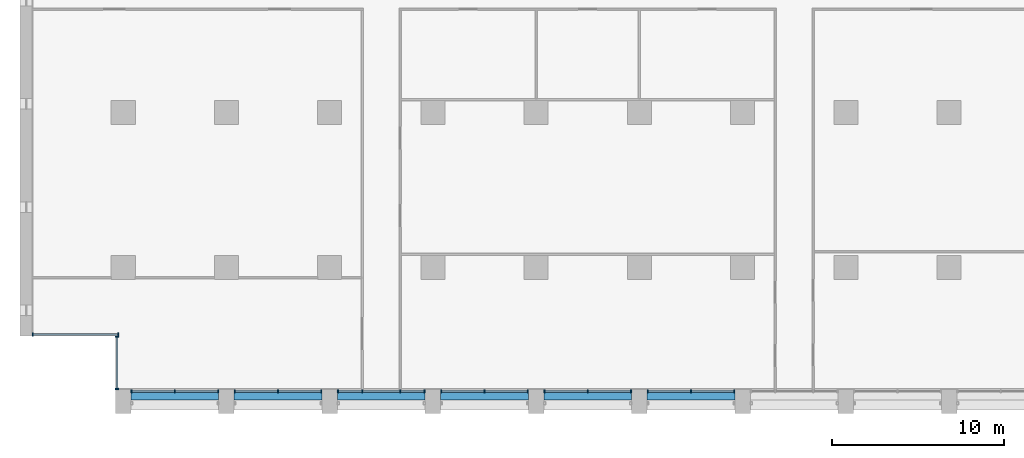
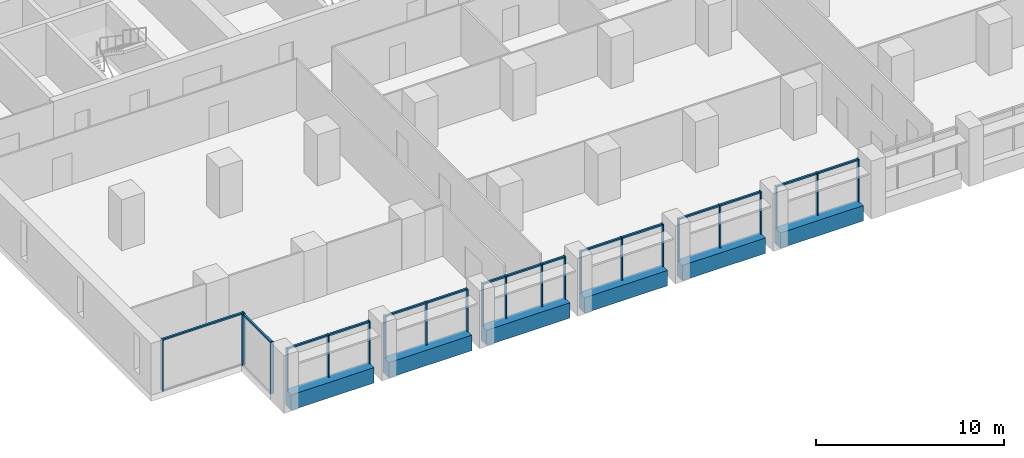
# One storey, part 2 of 15: 38 members, 6 beams, 8 elements without a shape of their own.
"""IFC4 building model written with IfcOpenShell, lengths in metres."""

from ifc_helpers import new_model, si_unit, direction, frame, origin, origin_2d, place, context, subcontext, project, spatial, rectangle, extrude, material, material_profile, profile_set, type_object, element, aggregate, save


model = new_model("IFC4")

# Units and contexts
model_context = context("Model", 3, precision=1e-05, world=origin(), true_north=direction((0.0, 1.0)))
body_context = subcontext(model_context, "Body", "Model", "MODEL_VIEW")
ifc_project = project(units=[si_unit("LENGTHUNIT", "METRE"), si_unit("AREAUNIT", "SQUARE_METRE"), si_unit("VOLUMEUNIT", "CUBIC_METRE"), si_unit("PLANEANGLEUNIT", "RADIAN"), si_unit("MASSUNIT", "GRAM", prefix="KILO")], contexts=[model_context])

# Site, building, storey
site_placement = place(None, origin())
site = spatial("IfcSite", under=ifc_project, at=site_placement, CompositionType="ELEMENT")
building_placement = place(site_placement, origin())
building = spatial("IfcBuilding", under=site, at=building_placement, Name="Calvaro Tower", CompositionType="ELEMENT")
storey_placement = place(building_placement, frame((0.0, 0.0, 106.25)))
storey = spatial("IfcBuildingStorey", under=building, at=storey_placement, Name="L26", CompositionType="ELEMENT", Elevation=106.25)

# Curtain wall, members
ifc_material_1 = material(Name="Anodised aluminium", Category="aluminium")
curtain_wall_type = type_object("IfcCurtainWallType", Name="Office curtain wall, middle zone", PredefinedType="NOTDEFINED", material=ifc_material_1)
curtain_wall_1_placement = place(storey_placement, origin())
curtain_wall_1 = element("IfcCurtainWall", 1, at=curtain_wall_1_placement, inside=storey, type_object=curtain_wall_type, Name="CW2 south curtain wall", PredefinedType="NOTDEFINED")
ifc_material_2 = material(Name="Anodised aluminium", Category="aluminium")
ifc_material_profile_1 = material_profile(ifc_material_2, rectangle(XDim=0.199951171875, YDim=0.070068359375, at=origin_2d()), Name="Mullion S2 70 x 200")
ifc_profile_set_1 = profile_set([ifc_material_profile_1], Name="Anodised aluminium")
member_type_1 = type_object("IfcMemberType", Name="Mullion S2 70 x 200", PredefinedType="MULLION", material=ifc_profile_set_1)
member_1_placement = place(storey_placement, frame((6.485107421875, 2.800048828125, 0.0), z_axis=(0.0, 0.0, 1.0), x_axis=(0.0, 1.0, 0.0)))
member_1 = element("IfcMember", 2, at=member_1_placement, type_object=member_type_1, Name="CW2 mullion 1", PredefinedType="MULLION", context=body_context, shape_type="SweptSolid", body=[
    extrude(rectangle(XDim=0.199951171875, YDim=0.070068359375, at=origin_2d()), origin(), (0.0, 0.0, 1.0), 2.75),
])
member_2_placement = place(storey_placement, frame((9.0, 2.800048828125, 0.0), z_axis=(0.0, 0.0, 1.0), x_axis=(0.0, 1.0, 0.0)))
member_2 = element("IfcMember", 3, at=member_2_placement, type_object=member_type_1, Name="CW2 mullion 2", PredefinedType="MULLION", context=body_context, shape_type="SweptSolid", body=[
    extrude(rectangle(XDim=0.199951171875, YDim=0.070068359375, at=origin_2d()), origin(), (0.0, 0.0, 1.0), 2.75),
])
member_3_placement = place(storey_placement, frame((11.514892578125, 2.800048828125, 0.0), z_axis=(0.0, 0.0, 1.0), x_axis=(0.0, 1.0, 0.0)))
member_3 = element("IfcMember", 4, at=member_3_placement, type_object=member_type_1, Name="CW2 mullion 3", PredefinedType="MULLION", context=body_context, shape_type="SweptSolid", body=[
    extrude(rectangle(XDim=0.199951171875, YDim=0.070068359375, at=origin_2d()), origin(), (0.0, 0.0, 1.0), 2.75),
])

curtain_wall_2_placement = place(storey_placement, origin())
curtain_wall_2 = element("IfcCurtainWall", 5, at=curtain_wall_2_placement, inside=storey, type_object=curtain_wall_type, Name="CW2 south curtain wall", PredefinedType="NOTDEFINED")
member_4_placement = place(storey_placement, frame((12.485107421875, 2.800048828125, 0.0), z_axis=(0.0, 0.0, 1.0), x_axis=(0.0, 1.0, 0.0)))
member_4 = element("IfcMember", 6, at=member_4_placement, type_object=member_type_1, Name="CW2 mullion 1", PredefinedType="MULLION", context=body_context, shape_type="SweptSolid", body=[
    extrude(rectangle(XDim=0.199951171875, YDim=0.070068359375, at=origin_2d()), origin(), (0.0, 0.0, 1.0), 2.75),
])
member_5_placement = place(storey_placement, frame((15.0, 2.800048828125, 0.0), z_axis=(0.0, 0.0, 1.0), x_axis=(0.0, 1.0, 0.0)))
member_5 = element("IfcMember", 7, at=member_5_placement, type_object=member_type_1, Name="CW2 mullion 2", PredefinedType="MULLION", context=body_context, shape_type="SweptSolid", body=[
    extrude(rectangle(XDim=0.199951171875, YDim=0.070068359375, at=origin_2d()), origin(), (0.0, 0.0, 1.0), 2.75),
])
member_6_placement = place(storey_placement, frame((17.514892578125, 2.800048828125, 0.0), z_axis=(0.0, 0.0, 1.0), x_axis=(0.0, 1.0, 0.0)))
member_6 = element("IfcMember", 8, at=member_6_placement, type_object=member_type_1, Name="CW2 mullion 3", PredefinedType="MULLION", context=body_context, shape_type="SweptSolid", body=[
    extrude(rectangle(XDim=0.199951171875, YDim=0.070068359375, at=origin_2d()), origin(), (0.0, 0.0, 1.0), 2.75),
])

curtain_wall_3_placement = place(storey_placement, origin())
curtain_wall_3 = element("IfcCurtainWall", 9, at=curtain_wall_3_placement, inside=storey, type_object=curtain_wall_type, Name="CW2 south curtain wall", PredefinedType="NOTDEFINED")
member_7_placement = place(storey_placement, frame((18.485107421875, 2.800048828125, 0.0), z_axis=(0.0, 0.0, 1.0), x_axis=(0.0, 1.0, 0.0)))
member_7 = element("IfcMember", 10, at=member_7_placement, type_object=member_type_1, Name="CW2 mullion 1", PredefinedType="MULLION", context=body_context, shape_type="SweptSolid", body=[
    extrude(rectangle(XDim=0.199951171875, YDim=0.070068359375, at=origin_2d()), origin(), (0.0, 0.0, 1.0), 2.75),
])
member_8_placement = place(storey_placement, frame((19.89990234375, 2.800048828125, 0.0), z_axis=(0.0, 0.0, 1.0), x_axis=(0.0, 1.0, 0.0)))
member_8 = element("IfcMember", 11, at=member_8_placement, type_object=member_type_1, Name="CW2 mullion 2", PredefinedType="MULLION", context=body_context, shape_type="SweptSolid", body=[
    extrude(rectangle(XDim=0.199951171875, YDim=0.070068359375, at=origin_2d()), origin(), (0.0, 0.0, 1.0), 2.75),
])
member_9_placement = place(storey_placement, frame((22.10009765625, 2.800048828125, 0.0), z_axis=(0.0, 0.0, 1.0), x_axis=(0.0, 1.0, 0.0)))
member_9 = element("IfcMember", 12, at=member_9_placement, type_object=member_type_1, Name="CW2 mullion 3", PredefinedType="MULLION", context=body_context, shape_type="SweptSolid", body=[
    extrude(rectangle(XDim=0.199951171875, YDim=0.070068359375, at=origin_2d()), origin(), (0.0, 0.0, 1.0), 2.75),
])
member_10_placement = place(storey_placement, frame((23.514892578125, 2.800048828125, 0.0), z_axis=(0.0, 0.0, 1.0), x_axis=(0.0, 1.0, 0.0)))
member_10 = element("IfcMember", 13, at=member_10_placement, type_object=member_type_1, Name="CW2 mullion 4", PredefinedType="MULLION", context=body_context, shape_type="SweptSolid", body=[
    extrude(rectangle(XDim=0.199951171875, YDim=0.070068359375, at=origin_2d()), origin(), (0.0, 0.0, 1.0), 2.75),
])

curtain_wall_4_placement = place(storey_placement, origin())
curtain_wall_4 = element("IfcCurtainWall", 14, at=curtain_wall_4_placement, inside=storey, type_object=curtain_wall_type, Name="CW2 south curtain wall", PredefinedType="NOTDEFINED")
member_11_placement = place(storey_placement, frame((24.485107421875, 2.800048828125, 0.0), z_axis=(0.0, 0.0, 1.0), x_axis=(0.0, 1.0, 0.0)))
member_11 = element("IfcMember", 15, at=member_11_placement, type_object=member_type_1, Name="CW2 mullion 1", PredefinedType="MULLION", context=body_context, shape_type="SweptSolid", body=[
    extrude(rectangle(XDim=0.199951171875, YDim=0.070068359375, at=origin_2d()), origin(), (0.0, 0.0, 1.0), 2.75),
])
member_12_placement = place(storey_placement, frame((27.0, 2.800048828125, 0.0), z_axis=(0.0, 0.0, 1.0), x_axis=(0.0, 1.0, 0.0)))
member_12 = element("IfcMember", 16, at=member_12_placement, type_object=member_type_1, Name="CW2 mullion 2", PredefinedType="MULLION", context=body_context, shape_type="SweptSolid", body=[
    extrude(rectangle(XDim=0.199951171875, YDim=0.070068359375, at=origin_2d()), origin(), (0.0, 0.0, 1.0), 2.75),
])
member_13_placement = place(storey_placement, frame((29.514892578125, 2.800048828125, 0.0), z_axis=(0.0, 0.0, 1.0), x_axis=(0.0, 1.0, 0.0)))
member_13 = element("IfcMember", 17, at=member_13_placement, type_object=member_type_1, Name="CW2 mullion 3", PredefinedType="MULLION", context=body_context, shape_type="SweptSolid", body=[
    extrude(rectangle(XDim=0.199951171875, YDim=0.070068359375, at=origin_2d()), origin(), (0.0, 0.0, 1.0), 2.75),
])

curtain_wall_5_placement = place(storey_placement, origin())
curtain_wall_5 = element("IfcCurtainWall", 18, at=curtain_wall_5_placement, inside=storey, type_object=curtain_wall_type, Name="CW2 south curtain wall", PredefinedType="NOTDEFINED")
member_14_placement = place(storey_placement, frame((30.485107421875, 2.800048828125, 0.0), z_axis=(0.0, 0.0, 1.0), x_axis=(0.0, 1.0, 0.0)))
member_14 = element("IfcMember", 19, at=member_14_placement, type_object=member_type_1, Name="CW2 mullion 1", PredefinedType="MULLION", context=body_context, shape_type="SweptSolid", body=[
    extrude(rectangle(XDim=0.199951171875, YDim=0.070068359375, at=origin_2d()), origin(), (0.0, 0.0, 1.0), 2.75),
])
member_15_placement = place(storey_placement, frame((33.0, 2.800048828125, 0.0), z_axis=(0.0, 0.0, 1.0), x_axis=(0.0, 1.0, 0.0)))
member_15 = element("IfcMember", 20, at=member_15_placement, type_object=member_type_1, Name="CW2 mullion 2", PredefinedType="MULLION", context=body_context, shape_type="SweptSolid", body=[
    extrude(rectangle(XDim=0.199951171875, YDim=0.070068359375, at=origin_2d()), origin(), (0.0, 0.0, 1.0), 2.75),
])
member_16_placement = place(storey_placement, frame((35.514892578125, 2.800048828125, 0.0), z_axis=(0.0, 0.0, 1.0), x_axis=(0.0, 1.0, 0.0)))
member_16 = element("IfcMember", 21, at=member_16_placement, type_object=member_type_1, Name="CW2 mullion 3", PredefinedType="MULLION", context=body_context, shape_type="SweptSolid", body=[
    extrude(rectangle(XDim=0.199951171875, YDim=0.070068359375, at=origin_2d()), origin(), (0.0, 0.0, 1.0), 2.75),
])

curtain_wall_6_placement = place(storey_placement, origin())
curtain_wall_6 = element("IfcCurtainWall", 22, at=curtain_wall_6_placement, inside=storey, type_object=curtain_wall_type, Name="CW2 south curtain wall", PredefinedType="NOTDEFINED")
member_17_placement = place(storey_placement, frame((36.485107421875, 2.800048828125, 0.0), z_axis=(0.0, 0.0, 1.0), x_axis=(0.0, 1.0, 0.0)))
member_17 = element("IfcMember", 23, at=member_17_placement, type_object=member_type_1, Name="CW2 mullion 1", PredefinedType="MULLION", context=body_context, shape_type="SweptSolid", body=[
    extrude(rectangle(XDim=0.199951171875, YDim=0.070068359375, at=origin_2d()), origin(), (0.0, 0.0, 1.0), 2.75),
])
member_18_placement = place(storey_placement, frame((39.0, 2.800048828125, 0.0), z_axis=(0.0, 0.0, 1.0), x_axis=(0.0, 1.0, 0.0)))
member_18 = element("IfcMember", 24, at=member_18_placement, type_object=member_type_1, Name="CW2 mullion 2", PredefinedType="MULLION", context=body_context, shape_type="SweptSolid", body=[
    extrude(rectangle(XDim=0.199951171875, YDim=0.070068359375, at=origin_2d()), origin(), (0.0, 0.0, 1.0), 2.75),
])
member_19_placement = place(storey_placement, frame((41.514892578125, 2.800048828125, 0.0), z_axis=(0.0, 0.0, 1.0), x_axis=(0.0, 1.0, 0.0)))
member_19 = element("IfcMember", 25, at=member_19_placement, type_object=member_type_1, Name="CW2 mullion 3", PredefinedType="MULLION", context=body_context, shape_type="SweptSolid", body=[
    extrude(rectangle(XDim=0.199951171875, YDim=0.070068359375, at=origin_2d()), origin(), (0.0, 0.0, 1.0), 2.75),
])

curtain_wall_7_placement = place(storey_placement, origin())
curtain_wall_7 = element("IfcCurtainWall", 26, at=curtain_wall_7_placement, inside=storey, type_object=curtain_wall_type, Name="CW2 corner curtain wall", PredefinedType="NOTDEFINED")
member_20_placement = place(storey_placement, frame((5.64990234375, 2.93505859375, 0.0), z_axis=(0.0, 0.0, 1.0), x_axis=(-1.0, 0.0, 0.0)))
member_20 = element("IfcMember", 27, at=member_20_placement, type_object=member_type_1, Name="CW2 mullion 1", PredefinedType="MULLION", context=body_context, shape_type="SweptSolid", body=[
    extrude(rectangle(XDim=0.199951171875, YDim=0.070068359375, at=origin_2d()), origin(), (0.0, 0.0, 1.0), 3.35009765625),
])
member_21_placement = place(storey_placement, frame((5.64990234375, 5.965087890625, 0.0), z_axis=(0.0, 0.0, 1.0), x_axis=(-1.0, 0.0, 0.0)))
member_21 = element("IfcMember", 28, at=member_21_placement, type_object=member_type_1, Name="CW2 mullion 2", PredefinedType="MULLION", context=body_context, shape_type="SweptSolid", body=[
    extrude(rectangle(XDim=0.199951171875, YDim=0.070068359375, at=origin_2d()), origin(), (0.0, 0.0, 1.0), 3.35009765625),
])

curtain_wall_8_placement = place(storey_placement, origin())
curtain_wall_8 = element("IfcCurtainWall", 29, at=curtain_wall_8_placement, inside=storey, type_object=curtain_wall_type, Name="CW2 corner curtain wall", PredefinedType="NOTDEFINED")
member_22_placement = place(storey_placement, frame((0.735107421875, 6.10009765625, 0.0), z_axis=(0.0, 0.0, 1.0), x_axis=(0.0, 1.0, 0.0)))
member_22 = element("IfcMember", 30, at=member_22_placement, type_object=member_type_1, Name="CW2 mullion 1", PredefinedType="MULLION", context=body_context, shape_type="SweptSolid", body=[
    extrude(rectangle(XDim=0.199951171875, YDim=0.070068359375, at=origin_2d()), origin(), (0.0, 0.0, 1.0), 3.35009765625),
])
member_23_placement = place(storey_placement, frame((5.715087890625, 6.10009765625, 0.0), z_axis=(0.0, 0.0, 1.0), x_axis=(0.0, 1.0, 0.0)))
member_23 = element("IfcMember", 31, at=member_23_placement, type_object=member_type_1, Name="CW2 mullion 2", PredefinedType="MULLION", context=body_context, shape_type="SweptSolid", body=[
    extrude(rectangle(XDim=0.199951171875, YDim=0.070068359375, at=origin_2d()), origin(), (0.0, 0.0, 1.0), 3.35009765625),
])

# Beams
ifc_material_3 = material(Name="Concrete C50/60 precast", Category="concrete")
ifc_material_profile_2 = material_profile(ifc_material_3, rectangle(XDim=0.60009765625, YDim=1.0, at=origin_2d()), Name="RC 600x1000")
ifc_profile_set_2 = profile_set([ifc_material_profile_2], Name="Concrete C50/60 precast")
beam_type = type_object("IfcBeamType", Name="Spandrel beam 600x1000 C50/60", PredefinedType="SPANDREL", material=ifc_profile_set_2)
for number, where, z_axis, x_axis, name in (
    (32, (6.449951171875, 2.60009765625, -0.5), (1.0, 0.0, 0.0), (0.0, 1.0, 0.0), "Spandrel beam"),
    (33, (12.449951171875, 2.60009765625, -0.5), (1.0, 0.0, 0.0), (0.0, 1.0, 0.0), "Spandrel beam"),
    (34, (18.449951171875, 2.60009765625, -0.5), (1.0, 0.0, 0.0), (0.0, 1.0, 0.0), "Spandrel beam"),
    (35, (24.449951171875, 2.60009765625, -0.5), (1.0, 0.0, 0.0), (0.0, 1.0, 0.0), "Spandrel beam"),
    (36, (30.449951171875, 2.60009765625, -0.5), (1.0, 0.0, 0.0), (0.0, 1.0, 0.0), "Spandrel beam"),
    (37, (36.449951171875, 2.60009765625, -0.5), (1.0, 0.0, 0.0), (0.0, 1.0, 0.0), "Spandrel beam"),
):
    element("IfcBeam", number, at=place(storey_placement, frame(where, z_axis=z_axis, x_axis=x_axis)), inside=storey, type_object=beam_type, Name=name, PredefinedType="SPANDREL", context=body_context, shape_type="SweptSolid", body=[
        extrude(rectangle(XDim=0.60009765625, YDim=1.0, at=origin_2d()), origin(), (0.0, 0.0, 1.0), 5.10009765625),
    ])

# Member
ifc_material_4 = material(Name="Anodised aluminium", Category="aluminium")
ifc_material_profile_3 = material_profile(ifc_material_4, rectangle(XDim=0.1201171875, YDim=0.10009765625, at=origin_2d()), Name="Transom S2 100 x 120")
ifc_profile_set_3 = profile_set([ifc_material_profile_3], Name="Anodised aluminium")
member_type_2 = type_object("IfcMemberType", Name="Transom S2 100 x 120", PredefinedType="USERDEFINED", material=ifc_profile_set_3)
member_24_placement = place(storey_placement, frame((6.52001953125, 2.800048828125, 2.699951171875), z_axis=(1.0, 0.0, 0.0), x_axis=(0.0, 1.0, 0.0)))
member_24 = element("IfcMember", 38, at=member_24_placement, type_object=member_type_2, Name="CW2 transom 1.1", ObjectType="TRANSOM", PredefinedType="USERDEFINED", context=body_context, shape_type="SweptSolid", body=[
    extrude(rectangle(XDim=0.1201171875, YDim=0.10009765625, at=origin_2d()), origin(), (0.0, 0.0, 1.0), 2.445068359375),
])

member_25_placement = place(storey_placement, frame((9.034912109375, 2.800048828125, 2.699951171875), z_axis=(1.0, 0.0, 0.0), x_axis=(0.0, 1.0, 0.0)))
member_25 = element("IfcMember", 39, at=member_25_placement, type_object=member_type_2, Name="CW2 transom 2.1", ObjectType="TRANSOM", PredefinedType="USERDEFINED", context=body_context, shape_type="SweptSolid", body=[
    extrude(rectangle(XDim=0.1201171875, YDim=0.10009765625, at=origin_2d()), origin(), (0.0, 0.0, 1.0), 2.445068359375),
])

aggregate(curtain_wall_1, [member_1, member_2, member_3, member_24, member_25])

member_26_placement = place(storey_placement, frame((12.52001953125, 2.800048828125, 2.699951171875), z_axis=(1.0, 0.0, 0.0), x_axis=(0.0, 1.0, 0.0)))
member_26 = element("IfcMember", 40, at=member_26_placement, type_object=member_type_2, Name="CW2 transom 1.1", ObjectType="TRANSOM", PredefinedType="USERDEFINED", context=body_context, shape_type="SweptSolid", body=[
    extrude(rectangle(XDim=0.1201171875, YDim=0.10009765625, at=origin_2d()), origin(), (0.0, 0.0, 1.0), 2.445068359375),
])

member_27_placement = place(storey_placement, frame((15.034912109375, 2.800048828125, 2.699951171875), z_axis=(1.0, 0.0, 0.0), x_axis=(0.0, 1.0, 0.0)))
member_27 = element("IfcMember", 41, at=member_27_placement, type_object=member_type_2, Name="CW2 transom 2.1", ObjectType="TRANSOM", PredefinedType="USERDEFINED", context=body_context, shape_type="SweptSolid", body=[
    extrude(rectangle(XDim=0.1201171875, YDim=0.10009765625, at=origin_2d()), origin(), (0.0, 0.0, 1.0), 2.445068359375),
])

aggregate(curtain_wall_2, [member_4, member_5, member_6, member_26, member_27])

member_28_placement = place(storey_placement, frame((18.52001953125, 2.800048828125, 2.699951171875), z_axis=(1.0, 0.0, 0.0), x_axis=(0.0, 1.0, 0.0)))
member_28 = element("IfcMember", 42, at=member_28_placement, type_object=member_type_2, Name="CW2 transom 1.1", ObjectType="TRANSOM", PredefinedType="USERDEFINED", context=body_context, shape_type="SweptSolid", body=[
    extrude(rectangle(XDim=0.1201171875, YDim=0.10009765625, at=origin_2d()), origin(), (0.0, 0.0, 1.0), 1.344970703125),
])

member_29_placement = place(storey_placement, frame((19.93505859375, 2.800048828125, 2.699951171875), z_axis=(1.0, 0.0, 0.0), x_axis=(0.0, 1.0, 0.0)))
member_29 = element("IfcMember", 43, at=member_29_placement, type_object=member_type_2, Name="CW2 transom 2.1", ObjectType="TRANSOM", PredefinedType="USERDEFINED", context=body_context, shape_type="SweptSolid", body=[
    extrude(rectangle(XDim=0.1201171875, YDim=0.10009765625, at=origin_2d()), origin(), (0.0, 0.0, 1.0), 2.1298828125),
])

member_30_placement = place(storey_placement, frame((22.135009765625, 2.800048828125, 2.699951171875), z_axis=(1.0, 0.0, 0.0), x_axis=(0.0, 1.0, 0.0)))
member_30 = element("IfcMember", 44, at=member_30_placement, type_object=member_type_2, Name="CW2 transom 3.1", ObjectType="TRANSOM", PredefinedType="USERDEFINED", context=body_context, shape_type="SweptSolid", body=[
    extrude(rectangle(XDim=0.1201171875, YDim=0.10009765625, at=origin_2d()), origin(), (0.0, 0.0, 1.0), 1.344970703125),
])

aggregate(curtain_wall_3, [member_7, member_8, member_9, member_10, member_28, member_29, member_30])

member_31_placement = place(storey_placement, frame((24.52001953125, 2.800048828125, 2.699951171875), z_axis=(1.0, 0.0, 0.0), x_axis=(0.0, 1.0, 0.0)))
member_31 = element("IfcMember", 45, at=member_31_placement, type_object=member_type_2, Name="CW2 transom 1.1", ObjectType="TRANSOM", PredefinedType="USERDEFINED", context=body_context, shape_type="SweptSolid", body=[
    extrude(rectangle(XDim=0.1201171875, YDim=0.10009765625, at=origin_2d()), origin(), (0.0, 0.0, 1.0), 2.445068359375),
])

member_32_placement = place(storey_placement, frame((27.034912109375, 2.800048828125, 2.699951171875), z_axis=(1.0, 0.0, 0.0), x_axis=(0.0, 1.0, 0.0)))
member_32 = element("IfcMember", 46, at=member_32_placement, type_object=member_type_2, Name="CW2 transom 2.1", ObjectType="TRANSOM", PredefinedType="USERDEFINED", context=body_context, shape_type="SweptSolid", body=[
    extrude(rectangle(XDim=0.1201171875, YDim=0.10009765625, at=origin_2d()), origin(), (0.0, 0.0, 1.0), 2.445068359375),
])

aggregate(curtain_wall_4, [member_11, member_12, member_13, member_31, member_32])

member_33_placement = place(storey_placement, frame((30.52001953125, 2.800048828125, 2.699951171875), z_axis=(1.0, 0.0, 0.0), x_axis=(0.0, 1.0, 0.0)))
member_33 = element("IfcMember", 47, at=member_33_placement, type_object=member_type_2, Name="CW2 transom 1.1", ObjectType="TRANSOM", PredefinedType="USERDEFINED", context=body_context, shape_type="SweptSolid", body=[
    extrude(rectangle(XDim=0.1201171875, YDim=0.10009765625, at=origin_2d()), origin(), (0.0, 0.0, 1.0), 2.445068359375),
])

member_34_placement = place(storey_placement, frame((33.034912109375, 2.800048828125, 2.699951171875), z_axis=(1.0, 0.0, 0.0), x_axis=(0.0, 1.0, 0.0)))
member_34 = element("IfcMember", 48, at=member_34_placement, type_object=member_type_2, Name="CW2 transom 2.1", ObjectType="TRANSOM", PredefinedType="USERDEFINED", context=body_context, shape_type="SweptSolid", body=[
    extrude(rectangle(XDim=0.1201171875, YDim=0.10009765625, at=origin_2d()), origin(), (0.0, 0.0, 1.0), 2.445068359375),
])

aggregate(curtain_wall_5, [member_14, member_15, member_16, member_33, member_34])

member_35_placement = place(storey_placement, frame((36.52001953125, 2.800048828125, 2.699951171875), z_axis=(1.0, 0.0, 0.0), x_axis=(0.0, 1.0, 0.0)))
member_35 = element("IfcMember", 49, at=member_35_placement, type_object=member_type_2, Name="CW2 transom 1.1", ObjectType="TRANSOM", PredefinedType="USERDEFINED", context=body_context, shape_type="SweptSolid", body=[
    extrude(rectangle(XDim=0.1201171875, YDim=0.10009765625, at=origin_2d()), origin(), (0.0, 0.0, 1.0), 2.445068359375),
])

member_36_placement = place(storey_placement, frame((39.034912109375, 2.800048828125, 2.699951171875), z_axis=(1.0, 0.0, 0.0), x_axis=(0.0, 1.0, 0.0)))
member_36 = element("IfcMember", 50, at=member_36_placement, type_object=member_type_2, Name="CW2 transom 2.1", ObjectType="TRANSOM", PredefinedType="USERDEFINED", context=body_context, shape_type="SweptSolid", body=[
    extrude(rectangle(XDim=0.1201171875, YDim=0.10009765625, at=origin_2d()), origin(), (0.0, 0.0, 1.0), 2.445068359375),
])

aggregate(curtain_wall_6, [member_17, member_18, member_19, member_35, member_36])

member_37_placement = place(storey_placement, frame((5.64990234375, 2.969970703125, 3.300048828125), z_axis=(0.0, 1.0, 0.0), x_axis=(-1.0, 0.0, 0.0)))
member_37 = element("IfcMember", 51, at=member_37_placement, type_object=member_type_2, Name="CW2 transom 1.1", ObjectType="TRANSOM", PredefinedType="USERDEFINED", context=body_context, shape_type="SweptSolid", body=[
    extrude(rectangle(XDim=0.1201171875, YDim=0.10009765625, at=origin_2d()), origin(), (0.0, 0.0, 1.0), 2.9599609375),
])

aggregate(curtain_wall_7, [member_20, member_21, member_37])

member_38_placement = place(storey_placement, frame((0.77001953125, 6.10009765625, 3.300048828125), z_axis=(1.0, 0.0, 0.0), x_axis=(0.0, 1.0, 0.0)))
member_38 = element("IfcMember", 52, at=member_38_placement, type_object=member_type_2, Name="CW2 transom 1.1", ObjectType="TRANSOM", PredefinedType="USERDEFINED", context=body_context, shape_type="SweptSolid", body=[
    extrude(rectangle(XDim=0.1201171875, YDim=0.10009765625, at=origin_2d()), origin(), (0.0, 0.0, 1.0), 4.909912109375),
])

aggregate(curtain_wall_8, [member_22, member_23, member_38])

save(model, "model.ifc")
